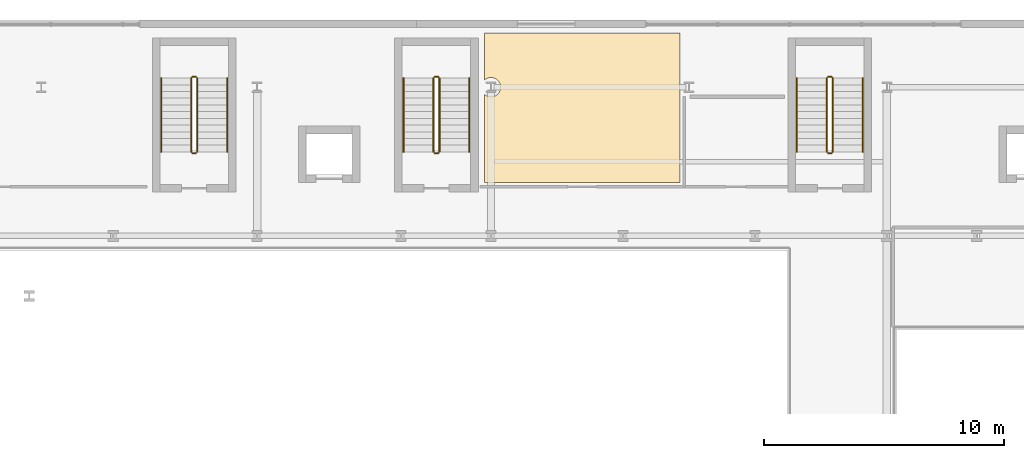
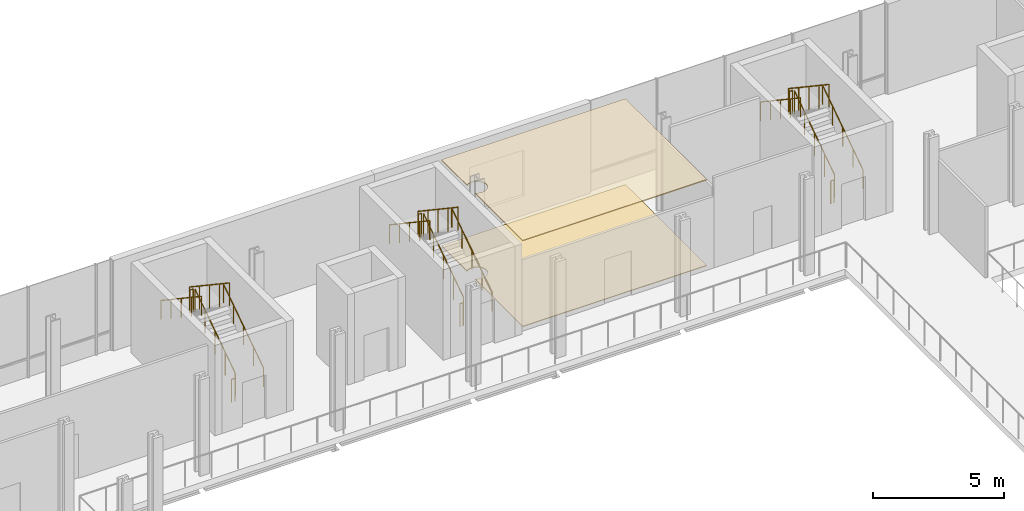
# One storey, part 24 of 25: 18 railings, 2 coverings.
"""IFC4 building model written with IfcOpenShell, lengths in metres."""

import ifcopenshell
import ifcopenshell.guid

model = None  # the IFC model being written
_history = None  # IfcOwnerHistory: only IFC2X3 demands one
_inside = {}  # id of a spatial element -> (the spatial element, [elements in it])
_under = {}  # id of a project, library or spatial element -> (it, [spatial elements below it])
_declared = {}  # id of a project -> (the project, [libraries it declares])
_typed = {}  # id of a type object -> (the type object, [elements of that type])
_made_of = {}  # id of a material, layer set ... -> (it, [elements and type objects made of it])


def new_model(schema):
    """Start an empty IFC model of exactly this schema.

    Asked for "IFC4X3", IfcOpenShell would pick the latest addendum, in which some entities
    have other attributes; the version numbers below select the first issue.
    IFC2X3 requires an IfcOwnerHistory on every rooted entity: one is made here for all.
    """
    global model, _history
    if schema == "IFC4X3":
        model = ifcopenshell.file(schema_version=(4, 3, 0, 0))
    else:
        model = ifcopenshell.file(schema=schema)
    _inside.clear()
    _under.clear()
    _declared.clear()
    _typed.clear()
    _made_of.clear()
    _history = None
    if model.schema == "IFC2X3":
        org = make("IfcOrganization", Name="unknown")
        user = make(
            "IfcPersonAndOrganization",
            ThePerson=make("IfcPerson", FamilyName="unknown"),
            TheOrganization=org,
        )
        app = make(
            "IfcApplication",
            ApplicationDeveloper=org,
            Version="unknown",
            ApplicationFullName="unknown",
            ApplicationIdentifier="unknown",
        )
        _history = make(
            "IfcOwnerHistory",
            OwningUser=user,
            OwningApplication=app,
            ChangeAction="ADDED",
            CreationDate=0,
        )
    return model


def make(cls, **values):
    """One entity of the class cls with the attributes given. An attribute that is None is left unset."""
    return model.create_entity(
        cls, **{name: value for name, value in values.items() if value is not None}
    )


def rooted(cls, **values):
    """An entity with a GlobalId (a new one), such as an element, a storey or a relation."""
    return make(cls, GlobalId=ifcopenshell.guid.new(), OwnerHistory=_history, **values)


def si_unit(unit_type, name, prefix=None):
    """IfcSIUnit, for example si_unit("LENGTHUNIT", "METRE", prefix="MILLI")."""
    return make("IfcSIUnit", UnitType=unit_type, Prefix=prefix, Name=name)


def assignment(units):
    """IfcUnitAssignment: the units of a project."""
    return None if units is None else make("IfcUnitAssignment", Units=units)


def point(xyz):
    """IfcCartesianPoint."""
    return None if xyz is None else make("IfcCartesianPoint", Coordinates=xyz)


def direction(xyz):
    """IfcDirection."""
    return None if xyz is None else make("IfcDirection", DirectionRatios=xyz)


def frame(location, z_axis=None, x_axis=None):
    """IfcAxis2Placement3D, a coordinate frame: its origin and axes. An axis left out is left unset."""
    return make(
        "IfcAxis2Placement3D",
        Location=point(location),
        Axis=direction(z_axis),
        RefDirection=direction(x_axis),
    )


def frame_2d(location, x_axis=None):
    """IfcAxis2Placement2D, a coordinate frame in the plane: its origin and x axis."""
    return make(
        "IfcAxis2Placement2D", Location=point(location), RefDirection=direction(x_axis)
    )


def origin():
    """The frame at (0, 0, 0) with its axes left unset."""
    return frame((0.0, 0.0, 0.0))


def origin_2d():
    """The frame at (0, 0) in the plane with its x axis left unset."""
    return frame_2d((0.0, 0.0))


def place(relative_to, where):
    """IfcLocalPlacement: puts the frame where relative to a parent placement (None: the world)."""
    return make(
        "IfcLocalPlacement", PlacementRelTo=relative_to, RelativePlacement=where
    )


def context(
    kind, dimensions, precision=None, world=None, true_north=None, identifier=None
):
    """IfcGeometricRepresentationContext, for example the 3D "Model" context."""
    return make(
        "IfcGeometricRepresentationContext",
        ContextIdentifier=identifier,
        ContextType=kind,
        CoordinateSpaceDimension=dimensions,
        Precision=precision,
        WorldCoordinateSystem=world,
        TrueNorth=true_north,
    )


def subcontext(parent, identifier, kind, view, scale=None):
    """IfcGeometricRepresentationSubContext, for example "Body" below "Model"."""
    return make(
        "IfcGeometricRepresentationSubContext",
        ContextIdentifier=identifier,
        ContextType=kind,
        ParentContext=parent,
        TargetScale=scale,
        TargetView=view,
    )


def project(units=None, contexts=None):
    """IfcProject with its units and contexts."""
    return rooted(
        "IfcProject",
        Name="project",
        RepresentationContexts=contexts,
        UnitsInContext=assignment(units),
    )


def spatial(cls, under=None, at=None, **own):
    """A site, building, storey or space (cls), placed at a placement, below another one or the project."""
    s = rooted(cls, ObjectPlacement=at, **own)
    if under is not None:
        _under.setdefault(under.id(), (under, []))[1].append(s)
    return s


def polyline(points):
    """IfcPolyline through the points."""
    return make("IfcPolyline", Points=[point(p) for p in points])


def profile(cls, at=None, kind="AREA", **sizes):
    """A parametric profile (cls). Its sizes go by their IFC names, for example OverallWidth=200.0."""
    return make(cls, ProfileType=kind, Position=at, **sizes)


def circle(**sizes):
    """IfcCircleProfileDef."""
    return profile("IfcCircleProfileDef", **sizes)


def outline(outer, holes=None, kind="AREA"):
    """IfcArbitraryClosedProfileDef: a profile drawn as a closed curve; with holes, ...WithVoids."""
    if holes is None:
        return make("IfcArbitraryClosedProfileDef", ProfileType=kind, OuterCurve=outer)
    return make(
        "IfcArbitraryProfileDefWithVoids",
        ProfileType=kind,
        OuterCurve=outer,
        InnerCurves=holes,
    )


def extrude(swept, where, along, depth):
    """IfcExtrudedAreaSolid: the profile swept, set in the frame where, extruded along a direction by depth."""
    return make(
        "IfcExtrudedAreaSolid",
        SweptArea=swept,
        Position=where,
        ExtrudedDirection=direction(along),
        Depth=depth,
    )


def shape(context_of_items, identifier, shape_type, items):
    """IfcShapeRepresentation: the items that make up one representation, for example the "Body"."""
    return make(
        "IfcShapeRepresentation",
        ContextOfItems=context_of_items,
        RepresentationIdentifier=identifier,
        RepresentationType=shape_type,
        Items=items,
    )


def material(Name=None, Category=None):
    """IfcMaterial."""
    return make("IfcMaterial", Name=Name, Category=Category)


def layer(
    of_material, thickness, ventilated=None, Name=None, Category=None, Priority=None
):
    """IfcMaterialLayer: one layer of a wall or slab, of a material (None: an air gap)."""
    return make(
        "IfcMaterialLayer",
        Material=of_material,
        LayerThickness=thickness,
        IsVentilated=ventilated,
        Name=Name,
        Category=Category,
        Priority=Priority,
    )


def layer_set(layers, Name=None):
    """IfcMaterialLayerSet."""
    return make("IfcMaterialLayerSet", MaterialLayers=layers, LayerSetName=Name)


def made_of(thing, what):
    """Note that an element or type object is made of a material, layer set ...; save() writes the relation."""
    if what is not None:
        _made_of.setdefault(what.id(), (what, []))[1].append(thing)
    return thing


def type_object(cls, material=None, **own):
    """A type object (cls), such as IfcWallType, which elements share."""
    return made_of(rooted(cls, **own), material)


def element(
    cls,
    number,
    at=None,
    inside=None,
    cuts=None,
    type_object=None,
    material=None,
    context=None,
    identifier="Body",
    shape_type=None,
    held_by="IfcProductDefinitionShape",
    body=None,
    shapes=None,
    **own,
):
    """One element of the class cls, such as IfcWall. Its Tag is "e" and its number.

    at: its placement. inside: the storey or other place that contains it. cuts: it is an
    opening in that element (IfcRelVoidsElement). A single representation is given by context,
    identifier, shape_type and body (its items); several are given by shapes. held_by: the class
    of the entity that holds the representations. save() writes the other relations.
    """
    e = rooted(cls, Tag="e%d" % number, ObjectPlacement=at, **own)
    if body is not None:
        shapes = [shape(context, identifier, shape_type, body)]
    if shapes is not None:
        e.Representation = make(held_by, Representations=shapes)
    if inside is not None:
        _inside.setdefault(inside.id(), (inside, []))[1].append(e)
    if cuts is not None:
        rooted(
            "IfcRelVoidsElement", RelatingBuildingElement=cuts, RelatedOpeningElement=e
        )
    if type_object is not None:
        _typed.setdefault(type_object.id(), (type_object, []))[1].append(e)
    return made_of(e, material)


def aggregate(whole, parts):
    """IfcRelAggregates: a whole, such as a stair, and the parts it consists of."""
    return rooted("IfcRelAggregates", RelatingObject=whole, RelatedObjects=parts)


def save(model, path):
    """Write the relations noted so far, then the file.

    IfcRelAggregates (storeys below a building ...), IfcRelContainedInSpatialStructure (elements
    in a storey), IfcRelDefinesByType, IfcRelAssociatesMaterial and IfcRelDeclares: one each for
    every whole, place, type object, material and project.
    """
    for whole, parts in _under.values():
        aggregate(whole, parts)
    for where, things in _inside.values():
        rooted(
            "IfcRelContainedInSpatialStructure",
            RelatedElements=things,
            RelatingStructure=where,
        )
    for kind, things in _typed.values():
        rooted("IfcRelDefinesByType", RelatedObjects=things, RelatingType=kind)
    for what, things in _made_of.values():
        rooted("IfcRelAssociatesMaterial", RelatedObjects=things, RelatingMaterial=what)
    for by, libraries in _declared.values():
        rooted("IfcRelDeclares", RelatingContext=by, RelatedDefinitions=libraries)
    model.write(path)


model = new_model("IFC4")

# Units and contexts
model_context = context("Model", 3, precision=1e-05, world=origin(), true_north=direction((0.0, 1.0)))
body_context = subcontext(model_context, "Body", "Model", "MODEL_VIEW")
ifc_project = project(units=[si_unit("LENGTHUNIT", "METRE"), si_unit("AREAUNIT", "SQUARE_METRE"), si_unit("VOLUMEUNIT", "CUBIC_METRE"), si_unit("PLANEANGLEUNIT", "RADIAN"), si_unit("MASSUNIT", "GRAM", prefix="KILO")], contexts=[model_context])

# Site, building, storey
site_placement = place(None, origin())
site = spatial("IfcSite", under=ifc_project, at=site_placement, CompositionType="ELEMENT")
building_placement = place(site_placement, origin())
building = spatial("IfcBuilding", under=site, at=building_placement, Name="Brevholm Reach", CompositionType="ELEMENT")
storey_placement = place(building_placement, frame((0.0, 0.0, 9.0)))
storey = spatial("IfcBuildingStorey", under=building, at=storey_placement, Name="L02", CompositionType="ELEMENT", Elevation=9.0)

# Coverings
ifc_material_1 = material(Name="Perforated Mineral-Fibre Class-A Acoustic Suspended Ceiling", Category="gypsum")
ifc_layer_1 = layer(ifc_material_1, 0.044921875)
ifc_layer_set_1 = layer_set([ifc_layer_1], Name="Perforated Mineral-Fibre Class-A Acoustic Suspended Ceiling")
covering_type_1 = type_object("IfcCoveringType", Name="COV-CLG-AC", PredefinedType="CEILING", material=ifc_layer_set_1)
covering_1_placement = place(storey_placement, frame((0.0, 0.0, 4.0048828125)))
element("IfcCovering", 1, at=covering_1_placement, inside=storey, type_object=covering_type_1, Name="L02 Suspended Ceiling L02-27", PredefinedType="CEILING", context=body_context, shape_type="SweptSolid", body=[
    extrude(outline(polyline([(21.47998046875, 36.905517578125), (21.49609375, 36.890869140625), (21.52783203125, 36.867431640625), (21.561279296875, 36.84716796875), (21.596923828125, 36.830322265625), (21.6337890625, 36.817138671875), (21.672119140625, 36.8076171875), (21.710693359375, 36.802001953125), (21.75, 36.800048828125), (21.789306640625, 36.802001953125), (21.827880859375, 36.8076171875), (21.8662109375, 36.817138671875), (21.903076171875, 36.830322265625), (21.938720703125, 36.84716796875), (21.97216796875, 36.867431640625), (22.00390625, 36.890869140625), (22.03271484375, 36.917236328125), (22.05908203125, 36.9462890625), (22.08251953125, 36.977783203125), (22.102783203125, 37.011474609375), (22.11962890625, 37.046875), (22.1328125, 37.083984375), (22.142333984375, 37.1220703125), (22.148193359375, 37.160888671875), (22.14990234375, 37.199951171875), (22.148193359375, 37.2392578125), (22.142333984375, 37.278076171875), (22.1328125, 37.316162109375), (22.11962890625, 37.35302734375), (22.102783203125, 37.388671875), (22.08251953125, 37.422119140625), (22.05908203125, 37.453857421875), (22.03271484375, 37.48291015625), (22.00390625, 37.50927734375), (21.97216796875, 37.53271484375), (21.938720703125, 37.552734375), (21.903076171875, 37.569580078125), (21.8662109375, 37.582763671875), (21.827880859375, 37.59228515625), (21.789306640625, 37.59814453125), (21.75, 37.60009765625), (21.710693359375, 37.59814453125), (21.672119140625, 37.59228515625), (21.6337890625, 37.582763671875), (21.596923828125, 37.569580078125), (21.561279296875, 37.552734375), (21.52783203125, 37.53271484375), (21.49609375, 37.50927734375), (21.47998046875, 37.494384765625), (21.47998046875, 39.4599609375), (29.6201171875, 39.4599609375), (29.6201171875, 37.323974609375), (29.6171875, 37.316162109375), (29.607666015625, 37.278076171875), (29.601806640625, 37.2392578125), (29.60009765625, 37.199951171875), (29.601806640625, 37.160888671875), (29.607666015625, 37.1220703125), (29.6171875, 37.083984375), (29.6201171875, 37.076171875), (29.6201171875, 33.23388671875), (21.47998046875, 33.23388671875), (21.47998046875, 36.905517578125)])), origin(), (0.0, 0.0, 1.0), 0.045166015625),
])
ifc_material_2 = material(Name="Honed Portland-Aggregate Resin Terrazzo Flooring", Category="concrete")
ifc_layer_2 = layer(ifc_material_2, 0.031982421875)
ifc_layer_set_2 = layer_set([ifc_layer_2], Name="Honed Portland-Aggregate Resin Terrazzo Flooring")
covering_type_2 = type_object("IfcCoveringType", Name="COV-FLR-TRZ", PredefinedType="FLOORING", material=ifc_layer_set_2)
covering_2_placement = place(storey_placement, origin())
element("IfcCovering", 2, at=covering_2_placement, inside=storey, type_object=covering_type_2, Name="L02 Floor Finish L02-27", PredefinedType="FLOORING", context=body_context, shape_type="SweptSolid", body=[
    extrude(outline(polyline([(21.47998046875, 36.905517578125), (21.49609375, 36.890869140625), (21.52783203125, 36.867431640625), (21.561279296875, 36.84716796875), (21.596923828125, 36.830322265625), (21.6337890625, 36.817138671875), (21.672119140625, 36.8076171875), (21.710693359375, 36.802001953125), (21.75, 36.800048828125), (21.789306640625, 36.802001953125), (21.827880859375, 36.8076171875), (21.8662109375, 36.817138671875), (21.903076171875, 36.830322265625), (21.938720703125, 36.84716796875), (21.97216796875, 36.867431640625), (22.00390625, 36.890869140625), (22.03271484375, 36.917236328125), (22.05908203125, 36.9462890625), (22.08251953125, 36.977783203125), (22.102783203125, 37.011474609375), (22.11962890625, 37.046875), (22.1328125, 37.083984375), (22.142333984375, 37.1220703125), (22.148193359375, 37.160888671875), (22.14990234375, 37.199951171875), (22.148193359375, 37.2392578125), (22.142333984375, 37.278076171875), (22.1328125, 37.316162109375), (22.11962890625, 37.35302734375), (22.102783203125, 37.388671875), (22.08251953125, 37.422119140625), (22.05908203125, 37.453857421875), (22.03271484375, 37.48291015625), (22.00390625, 37.50927734375), (21.97216796875, 37.53271484375), (21.938720703125, 37.552734375), (21.903076171875, 37.569580078125), (21.8662109375, 37.582763671875), (21.827880859375, 37.59228515625), (21.789306640625, 37.59814453125), (21.75, 37.60009765625), (21.710693359375, 37.59814453125), (21.672119140625, 37.59228515625), (21.6337890625, 37.582763671875), (21.596923828125, 37.569580078125), (21.561279296875, 37.552734375), (21.52783203125, 37.53271484375), (21.49609375, 37.50927734375), (21.47998046875, 37.494384765625), (21.47998046875, 39.4599609375), (29.6201171875, 39.4599609375), (29.6201171875, 37.323974609375), (29.6171875, 37.316162109375), (29.607666015625, 37.278076171875), (29.601806640625, 37.2392578125), (29.60009765625, 37.199951171875), (29.601806640625, 37.160888671875), (29.607666015625, 37.1220703125), (29.6171875, 37.083984375), (29.6201171875, 37.076171875), (29.6201171875, 33.23388671875), (21.47998046875, 33.23388671875), (21.47998046875, 36.905517578125)])), origin(), (0.0, 0.0, 1.0), 0.031982421875),
])

# Railings
ifc_material_3 = material(Name="Brushed Stainless Steel EN 1.4401 Continuous Handrail", Category="steel")
railing_type_1 = type_object("IfcRailingType", Name="RAL-HND-950", PredefinedType="HANDRAIL", material=ifc_material_3)
railing_1_placement = place(storey_placement, frame((10.75, 34.5, 0.1875)))
element("IfcRailing", 3, at=railing_1_placement, inside=storey, type_object=railing_type_1, Name="L02 ST-S1 stair handrail 1", PredefinedType="HANDRAIL", context=body_context, shape_type="SweptSolid", body=[
    extrude(circle(Radius=0.02392578125, at=origin_2d()), frame((0.0, 0.0, 0.8857421875), z_axis=(0.0, 0.830913701846, 0.55640131208), x_axis=(-1.0, 0.0, 0.0)), (0.0, 0.0, 1.0), 3.706787109375),
    extrude(circle(Radius=0.02099609375, at=origin_2d()), origin(), (0.0, 0.0, 1.0), 0.86181640625),
    extrude(circle(Radius=0.02099609375, at=origin_2d()), frame((0.0, 0.77001953125, 0.515625)), (0.0, 0.0, 1.0), 0.86181640625),
    extrude(circle(Radius=0.02099609375, at=origin_2d()), frame((0.0, 1.5400390625, 1.03125)), (0.0, 0.0, 1.0), 0.86181640625),
    extrude(circle(Radius=0.02099609375, at=origin_2d()), frame((0.0, 2.31005859375, 1.546875)), (0.0, 0.0, 1.0), 0.86181640625),
    extrude(circle(Radius=0.02099609375, at=origin_2d()), frame((0.0, 3.080078125, 2.0625)), (0.0, 0.0, 1.0), 0.86181640625),
])
railing_2_placement = place(storey_placement, frame((8.0, 37.580078125, 2.4375)))
element("IfcRailing", 4, at=railing_2_placement, inside=storey, type_object=railing_type_1, Name="L02 ST-S1 stair handrail 2", PredefinedType="HANDRAIL", context=body_context, shape_type="SweptSolid", body=[
    extrude(circle(Radius=0.02392578125, at=origin_2d()), frame((0.0, 0.0, 0.8857421875), z_axis=(0.0, -0.830913701846, 0.55640131208), x_axis=(1.0, 0.0, 0.0)), (0.0, 0.0, 1.0), 3.706787109375),
    extrude(circle(Radius=0.02099609375, at=origin_2d()), origin(), (0.0, 0.0, 1.0), 0.86181640625),
    extrude(circle(Radius=0.02099609375, at=origin_2d()), frame((0.0, -0.77001953125, 0.515625)), (0.0, 0.0, 1.0), 0.86181640625),
    extrude(circle(Radius=0.02099609375, at=origin_2d()), frame((0.0, -1.5400390625, 1.03125)), (0.0, 0.0, 1.0), 0.86181640625),
    extrude(circle(Radius=0.02099609375, at=origin_2d()), frame((0.0, -2.31005859375, 1.546875)), (0.0, 0.0, 1.0), 0.86181640625),
    extrude(circle(Radius=0.02099609375, at=origin_2d()), frame((0.0, -3.080078125, 2.0625)), (0.0, 0.0, 1.0), 0.86181640625),
])
railing_3_placement = place(storey_placement, frame((20.85009765625, 34.5, 0.1875)))
element("IfcRailing", 5, at=railing_3_placement, inside=storey, type_object=railing_type_1, Name="L02 ST-S2 stair handrail 1", PredefinedType="HANDRAIL", context=body_context, shape_type="SweptSolid", body=[
    extrude(circle(Radius=0.02392578125, at=origin_2d()), frame((0.0, 0.0, 0.8857421875), z_axis=(0.0, 0.830913701846, 0.55640131208), x_axis=(-1.0, 0.0, 0.0)), (0.0, 0.0, 1.0), 3.706787109375),
    extrude(circle(Radius=0.02099609375, at=origin_2d()), origin(), (0.0, 0.0, 1.0), 0.86181640625),
    extrude(circle(Radius=0.02099609375, at=origin_2d()), frame((0.0, 0.77001953125, 0.515625)), (0.0, 0.0, 1.0), 0.86181640625),
    extrude(circle(Radius=0.02099609375, at=origin_2d()), frame((0.0, 1.5400390625, 1.03125)), (0.0, 0.0, 1.0), 0.86181640625),
    extrude(circle(Radius=0.02099609375, at=origin_2d()), frame((0.0, 2.31005859375, 1.546875)), (0.0, 0.0, 1.0), 0.86181640625),
    extrude(circle(Radius=0.02099609375, at=origin_2d()), frame((0.0, 3.080078125, 2.0625)), (0.0, 0.0, 1.0), 0.86181640625),
])
railing_4_placement = place(storey_placement, frame((18.10009765625, 37.580078125, 2.4375)))
element("IfcRailing", 6, at=railing_4_placement, inside=storey, type_object=railing_type_1, Name="L02 ST-S2 stair handrail 2", PredefinedType="HANDRAIL", context=body_context, shape_type="SweptSolid", body=[
    extrude(circle(Radius=0.02392578125, at=origin_2d()), frame((0.0, 0.0, 0.8857421875), z_axis=(0.0, -0.830913701846, 0.55640131208), x_axis=(1.0, 0.0, 0.0)), (0.0, 0.0, 1.0), 3.706787109375),
    extrude(circle(Radius=0.02099609375, at=origin_2d()), origin(), (0.0, 0.0, 1.0), 0.86181640625),
    extrude(circle(Radius=0.02099609375, at=origin_2d()), frame((0.0, -0.77001953125, 0.515625)), (0.0, 0.0, 1.0), 0.86181640625),
    extrude(circle(Radius=0.02099609375, at=origin_2d()), frame((0.0, -1.5400390625, 1.03125)), (0.0, 0.0, 1.0), 0.86181640625),
    extrude(circle(Radius=0.02099609375, at=origin_2d()), frame((0.0, -2.31005859375, 1.546875)), (0.0, 0.0, 1.0), 0.86181640625),
    extrude(circle(Radius=0.02099609375, at=origin_2d()), frame((0.0, -3.080078125, 2.0625)), (0.0, 0.0, 1.0), 0.86181640625),
])
railing_5_placement = place(storey_placement, frame((37.25, 34.5, 0.1875)))
element("IfcRailing", 7, at=railing_5_placement, inside=storey, type_object=railing_type_1, Name="L02 ST-S3 stair handrail 1", PredefinedType="HANDRAIL", context=body_context, shape_type="SweptSolid", body=[
    extrude(circle(Radius=0.02392578125, at=origin_2d()), frame((0.0, 0.0, 0.8857421875), z_axis=(0.0, 0.830913701846, 0.55640131208), x_axis=(-1.0, 0.0, 0.0)), (0.0, 0.0, 1.0), 3.706787109375),
    extrude(circle(Radius=0.02099609375, at=origin_2d()), origin(), (0.0, 0.0, 1.0), 0.86181640625),
    extrude(circle(Radius=0.02099609375, at=origin_2d()), frame((0.0, 0.77001953125, 0.515625)), (0.0, 0.0, 1.0), 0.86181640625),
    extrude(circle(Radius=0.02099609375, at=origin_2d()), frame((0.0, 1.5400390625, 1.03125)), (0.0, 0.0, 1.0), 0.86181640625),
    extrude(circle(Radius=0.02099609375, at=origin_2d()), frame((0.0, 2.31005859375, 1.546875)), (0.0, 0.0, 1.0), 0.86181640625),
    extrude(circle(Radius=0.02099609375, at=origin_2d()), frame((0.0, 3.080078125, 2.0625)), (0.0, 0.0, 1.0), 0.86181640625),
])
railing_6_placement = place(storey_placement, frame((34.5, 37.580078125, 2.4375)))
element("IfcRailing", 8, at=railing_6_placement, inside=storey, type_object=railing_type_1, Name="L02 ST-S3 stair handrail 2", PredefinedType="HANDRAIL", context=body_context, shape_type="SweptSolid", body=[
    extrude(circle(Radius=0.02392578125, at=origin_2d()), frame((0.0, 0.0, 0.8857421875), z_axis=(0.0, -0.830913701846, 0.55640131208), x_axis=(1.0, 0.0, 0.0)), (0.0, 0.0, 1.0), 3.706787109375),
    extrude(circle(Radius=0.02099609375, at=origin_2d()), origin(), (0.0, 0.0, 1.0), 0.86181640625),
    extrude(circle(Radius=0.02099609375, at=origin_2d()), frame((0.0, -0.77001953125, 0.515625)), (0.0, 0.0, 1.0), 0.86181640625),
    extrude(circle(Radius=0.02099609375, at=origin_2d()), frame((0.0, -1.5400390625, 1.03125)), (0.0, 0.0, 1.0), 0.86181640625),
    extrude(circle(Radius=0.02099609375, at=origin_2d()), frame((0.0, -2.31005859375, 1.546875)), (0.0, 0.0, 1.0), 0.86181640625),
    extrude(circle(Radius=0.02099609375, at=origin_2d()), frame((0.0, -3.080078125, 2.0625)), (0.0, 0.0, 1.0), 0.86181640625),
])
ifc_material_4 = material(Name="Painted Tubular Galvanised Steel S275JR Stair Guard", Category="steel")
railing_type_2 = type_object("IfcRailingType", Name="RAL-STG-1120", PredefinedType="BALUSTRADE", material=ifc_material_4)
railing_7_placement = place(storey_placement, frame((9.5, 34.5, 0.1875)))
element("IfcRailing", 9, at=railing_7_placement, inside=storey, type_object=railing_type_2, Name="L02 ST-S1 stair guard 1", PredefinedType="BALUSTRADE", context=body_context, shape_type="SweptSolid", body=[
    extrude(circle(Radius=0.02392578125, at=origin_2d()), frame((0.0, 0.0, 1.076171875), z_axis=(0.0, 0.830913701846, 0.55640131208), x_axis=(-1.0, 0.0, 0.0)), (0.0, 0.0, 1.0), 3.706787109375),
    extrude(circle(Radius=0.02099609375, at=origin_2d()), origin(), (0.0, 0.0, 1.0), 1.052001953125),
    extrude(circle(Radius=0.02099609375, at=origin_2d()), frame((0.0, 0.77001953125, 0.515625)), (0.0, 0.0, 1.0), 1.052001953125),
    extrude(circle(Radius=0.02099609375, at=origin_2d()), frame((0.0, 1.5400390625, 1.03125)), (0.0, 0.0, 1.0), 1.052001953125),
    extrude(circle(Radius=0.02099609375, at=origin_2d()), frame((0.0, 2.31005859375, 1.546875)), (0.0, 0.0, 1.0), 1.052001953125),
    extrude(circle(Radius=0.02099609375, at=origin_2d()), frame((0.0, 3.080078125, 2.0625)), (0.0, 0.0, 1.0), 1.052001953125),
])
railing_8_placement = place(storey_placement, frame((9.449951171875, 37.6298828125, 2.25)))
element("IfcRailing", 10, at=railing_8_placement, inside=storey, type_object=railing_type_2, Name="L02 ST-S1 stair guard 2", PredefinedType="BALUSTRADE", context=body_context, shape_type="SweptSolid", body=[
    extrude(circle(Radius=0.02392578125, at=origin_2d()), frame((0.0, 0.0, 1.076171875), z_axis=(-1.0, 0.0, 0.0), x_axis=(0.0, -1.0, 0.0)), (0.0, 0.0, 1.0), 0.14990234375),
    extrude(circle(Radius=0.02099609375, at=origin_2d()), origin(), (0.0, 0.0, 1.0), 1.052001953125),
    extrude(circle(Radius=0.02099609375, at=origin_2d()), frame((-0.14990234375, 0.0, 0.0)), (0.0, 0.0, 1.0), 1.052001953125),
])
railing_9_placement = place(storey_placement, frame((9.25, 37.580078125, 2.4375)))
element("IfcRailing", 11, at=railing_9_placement, inside=storey, type_object=railing_type_2, Name="L02 ST-S1 stair guard 3", PredefinedType="BALUSTRADE", context=body_context, shape_type="SweptSolid", body=[
    extrude(circle(Radius=0.02392578125, at=origin_2d()), frame((0.0, 0.0, 1.076171875), z_axis=(0.0, -0.830913701846, 0.55640131208), x_axis=(1.0, 0.0, 0.0)), (0.0, 0.0, 1.0), 3.706787109375),
    extrude(circle(Radius=0.02099609375, at=origin_2d()), origin(), (0.0, 0.0, 1.0), 1.052001953125),
    extrude(circle(Radius=0.02099609375, at=origin_2d()), frame((0.0, -0.77001953125, 0.515625)), (0.0, 0.0, 1.0), 1.052001953125),
    extrude(circle(Radius=0.02099609375, at=origin_2d()), frame((0.0, -1.5400390625, 1.03125)), (0.0, 0.0, 1.0), 1.052001953125),
    extrude(circle(Radius=0.02099609375, at=origin_2d()), frame((0.0, -2.31005859375, 1.546875)), (0.0, 0.0, 1.0), 1.052001953125),
    extrude(circle(Radius=0.02099609375, at=origin_2d()), frame((0.0, -3.080078125, 2.0625)), (0.0, 0.0, 1.0), 1.052001953125),
])
railing_10_placement = place(storey_placement, frame((9.449951171875, 34.449951171875, 0.0)))
element("IfcRailing", 12, at=railing_10_placement, inside=storey, type_object=railing_type_2, Name="L02 ST-S1 stair guard 4", PredefinedType="BALUSTRADE", context=body_context, shape_type="SweptSolid", body=[
    extrude(circle(Radius=0.02392578125, at=origin_2d()), frame((0.0, 0.0, 1.076171875), z_axis=(-1.0, 0.0, 0.0), x_axis=(0.0, -1.0, 0.0)), (0.0, 0.0, 1.0), 0.14990234375),
    extrude(circle(Radius=0.02099609375, at=origin_2d()), origin(), (0.0, 0.0, 1.0), 1.052001953125),
    extrude(circle(Radius=0.02099609375, at=origin_2d()), frame((-0.14990234375, 0.0, 0.0)), (0.0, 0.0, 1.0), 1.052001953125),
])
railing_11_placement = place(storey_placement, frame((19.60009765625, 34.5, 0.1875)))
element("IfcRailing", 13, at=railing_11_placement, inside=storey, type_object=railing_type_2, Name="L02 ST-S2 stair guard 1", PredefinedType="BALUSTRADE", context=body_context, shape_type="SweptSolid", body=[
    extrude(circle(Radius=0.02392578125, at=origin_2d()), frame((0.0, 0.0, 1.076171875), z_axis=(0.0, 0.830913701846, 0.55640131208), x_axis=(-1.0, 0.0, 0.0)), (0.0, 0.0, 1.0), 3.706787109375),
    extrude(circle(Radius=0.02099609375, at=origin_2d()), origin(), (0.0, 0.0, 1.0), 1.052001953125),
    extrude(circle(Radius=0.02099609375, at=origin_2d()), frame((0.0, 0.77001953125, 0.515625)), (0.0, 0.0, 1.0), 1.052001953125),
    extrude(circle(Radius=0.02099609375, at=origin_2d()), frame((0.0, 1.5400390625, 1.03125)), (0.0, 0.0, 1.0), 1.052001953125),
    extrude(circle(Radius=0.02099609375, at=origin_2d()), frame((0.0, 2.31005859375, 1.546875)), (0.0, 0.0, 1.0), 1.052001953125),
    extrude(circle(Radius=0.02099609375, at=origin_2d()), frame((0.0, 3.080078125, 2.0625)), (0.0, 0.0, 1.0), 1.052001953125),
])
railing_12_placement = place(storey_placement, frame((19.550048828125, 37.6298828125, 2.25)))
element("IfcRailing", 14, at=railing_12_placement, inside=storey, type_object=railing_type_2, Name="L02 ST-S2 stair guard 2", PredefinedType="BALUSTRADE", context=body_context, shape_type="SweptSolid", body=[
    extrude(circle(Radius=0.02392578125, at=origin_2d()), frame((0.0, 0.0, 1.076171875), z_axis=(-1.0, 0.0, 0.0), x_axis=(0.0, -1.0, 0.0)), (0.0, 0.0, 1.0), 0.150146484375),
    extrude(circle(Radius=0.02099609375, at=origin_2d()), origin(), (0.0, 0.0, 1.0), 1.052001953125),
    extrude(circle(Radius=0.02099609375, at=origin_2d()), frame((-0.150146484375, 0.0, 0.0)), (0.0, 0.0, 1.0), 1.052001953125),
])
railing_13_placement = place(storey_placement, frame((19.35009765625, 37.580078125, 2.4375)))
element("IfcRailing", 15, at=railing_13_placement, inside=storey, type_object=railing_type_2, Name="L02 ST-S2 stair guard 3", PredefinedType="BALUSTRADE", context=body_context, shape_type="SweptSolid", body=[
    extrude(circle(Radius=0.02392578125, at=origin_2d()), frame((0.0, 0.0, 1.076171875), z_axis=(0.0, -0.830913701846, 0.55640131208), x_axis=(1.0, 0.0, 0.0)), (0.0, 0.0, 1.0), 3.706787109375),
    extrude(circle(Radius=0.02099609375, at=origin_2d()), origin(), (0.0, 0.0, 1.0), 1.052001953125),
    extrude(circle(Radius=0.02099609375, at=origin_2d()), frame((0.0, -0.77001953125, 0.515625)), (0.0, 0.0, 1.0), 1.052001953125),
    extrude(circle(Radius=0.02099609375, at=origin_2d()), frame((0.0, -1.5400390625, 1.03125)), (0.0, 0.0, 1.0), 1.052001953125),
    extrude(circle(Radius=0.02099609375, at=origin_2d()), frame((0.0, -2.31005859375, 1.546875)), (0.0, 0.0, 1.0), 1.052001953125),
    extrude(circle(Radius=0.02099609375, at=origin_2d()), frame((0.0, -3.080078125, 2.0625)), (0.0, 0.0, 1.0), 1.052001953125),
])
railing_14_placement = place(storey_placement, frame((19.550048828125, 34.449951171875, 0.0)))
element("IfcRailing", 16, at=railing_14_placement, inside=storey, type_object=railing_type_2, Name="L02 ST-S2 stair guard 4", PredefinedType="BALUSTRADE", context=body_context, shape_type="SweptSolid", body=[
    extrude(circle(Radius=0.02392578125, at=origin_2d()), frame((0.0, 0.0, 1.076171875), z_axis=(-1.0, 0.0, 0.0), x_axis=(0.0, -1.0, 0.0)), (0.0, 0.0, 1.0), 0.150146484375),
    extrude(circle(Radius=0.02099609375, at=origin_2d()), origin(), (0.0, 0.0, 1.0), 1.052001953125),
    extrude(circle(Radius=0.02099609375, at=origin_2d()), frame((-0.150146484375, 0.0, 0.0)), (0.0, 0.0, 1.0), 1.052001953125),
])
railing_15_placement = place(storey_placement, frame((36.0, 34.5, 0.1875)))
element("IfcRailing", 17, at=railing_15_placement, inside=storey, type_object=railing_type_2, Name="L02 ST-S3 stair guard 1", PredefinedType="BALUSTRADE", context=body_context, shape_type="SweptSolid", body=[
    extrude(circle(Radius=0.02392578125, at=origin_2d()), frame((0.0, 0.0, 1.076171875), z_axis=(0.0, 0.830913701846, 0.55640131208), x_axis=(-1.0, 0.0, 0.0)), (0.0, 0.0, 1.0), 3.706787109375),
    extrude(circle(Radius=0.02099609375, at=origin_2d()), origin(), (0.0, 0.0, 1.0), 1.052001953125),
    extrude(circle(Radius=0.02099609375, at=origin_2d()), frame((0.0, 0.77001953125, 0.515625)), (0.0, 0.0, 1.0), 1.052001953125),
    extrude(circle(Radius=0.02099609375, at=origin_2d()), frame((0.0, 1.5400390625, 1.03125)), (0.0, 0.0, 1.0), 1.052001953125),
    extrude(circle(Radius=0.02099609375, at=origin_2d()), frame((0.0, 2.31005859375, 1.546875)), (0.0, 0.0, 1.0), 1.052001953125),
    extrude(circle(Radius=0.02099609375, at=origin_2d()), frame((0.0, 3.080078125, 2.0625)), (0.0, 0.0, 1.0), 1.052001953125),
])
railing_16_placement = place(storey_placement, frame((35.949951171875, 37.6298828125, 2.25)))
element("IfcRailing", 18, at=railing_16_placement, inside=storey, type_object=railing_type_2, Name="L02 ST-S3 stair guard 2", PredefinedType="BALUSTRADE", context=body_context, shape_type="SweptSolid", body=[
    extrude(circle(Radius=0.02392578125, at=origin_2d()), frame((0.0, 0.0, 1.076171875), z_axis=(-1.0, 0.0, 0.0), x_axis=(0.0, -1.0, 0.0)), (0.0, 0.0, 1.0), 0.14990234375),
    extrude(circle(Radius=0.02099609375, at=origin_2d()), origin(), (0.0, 0.0, 1.0), 1.052001953125),
    extrude(circle(Radius=0.02099609375, at=origin_2d()), frame((-0.14990234375, 0.0, 0.0)), (0.0, 0.0, 1.0), 1.052001953125),
])
railing_17_placement = place(storey_placement, frame((35.75, 37.580078125, 2.4375)))
element("IfcRailing", 19, at=railing_17_placement, inside=storey, type_object=railing_type_2, Name="L02 ST-S3 stair guard 3", PredefinedType="BALUSTRADE", context=body_context, shape_type="SweptSolid", body=[
    extrude(circle(Radius=0.02392578125, at=origin_2d()), frame((0.0, 0.0, 1.076171875), z_axis=(0.0, -0.830913701846, 0.55640131208), x_axis=(1.0, 0.0, 0.0)), (0.0, 0.0, 1.0), 3.706787109375),
    extrude(circle(Radius=0.02099609375, at=origin_2d()), origin(), (0.0, 0.0, 1.0), 1.052001953125),
    extrude(circle(Radius=0.02099609375, at=origin_2d()), frame((0.0, -0.77001953125, 0.515625)), (0.0, 0.0, 1.0), 1.052001953125),
    extrude(circle(Radius=0.02099609375, at=origin_2d()), frame((0.0, -1.5400390625, 1.03125)), (0.0, 0.0, 1.0), 1.052001953125),
    extrude(circle(Radius=0.02099609375, at=origin_2d()), frame((0.0, -2.31005859375, 1.546875)), (0.0, 0.0, 1.0), 1.052001953125),
    extrude(circle(Radius=0.02099609375, at=origin_2d()), frame((0.0, -3.080078125, 2.0625)), (0.0, 0.0, 1.0), 1.052001953125),
])
railing_18_placement = place(storey_placement, frame((35.949951171875, 34.449951171875, 0.0)))
element("IfcRailing", 20, at=railing_18_placement, inside=storey, type_object=railing_type_2, Name="L02 ST-S3 stair guard 4", PredefinedType="BALUSTRADE", context=body_context, shape_type="SweptSolid", body=[
    extrude(circle(Radius=0.02392578125, at=origin_2d()), frame((0.0, 0.0, 1.076171875), z_axis=(-1.0, 0.0, 0.0), x_axis=(0.0, -1.0, 0.0)), (0.0, 0.0, 1.0), 0.14990234375),
    extrude(circle(Radius=0.02099609375, at=origin_2d()), origin(), (0.0, 0.0, 1.0), 1.052001953125),
    extrude(circle(Radius=0.02099609375, at=origin_2d()), frame((-0.14990234375, 0.0, 0.0)), (0.0, 0.0, 1.0), 1.052001953125),
])

save(model, "model.ifc")
